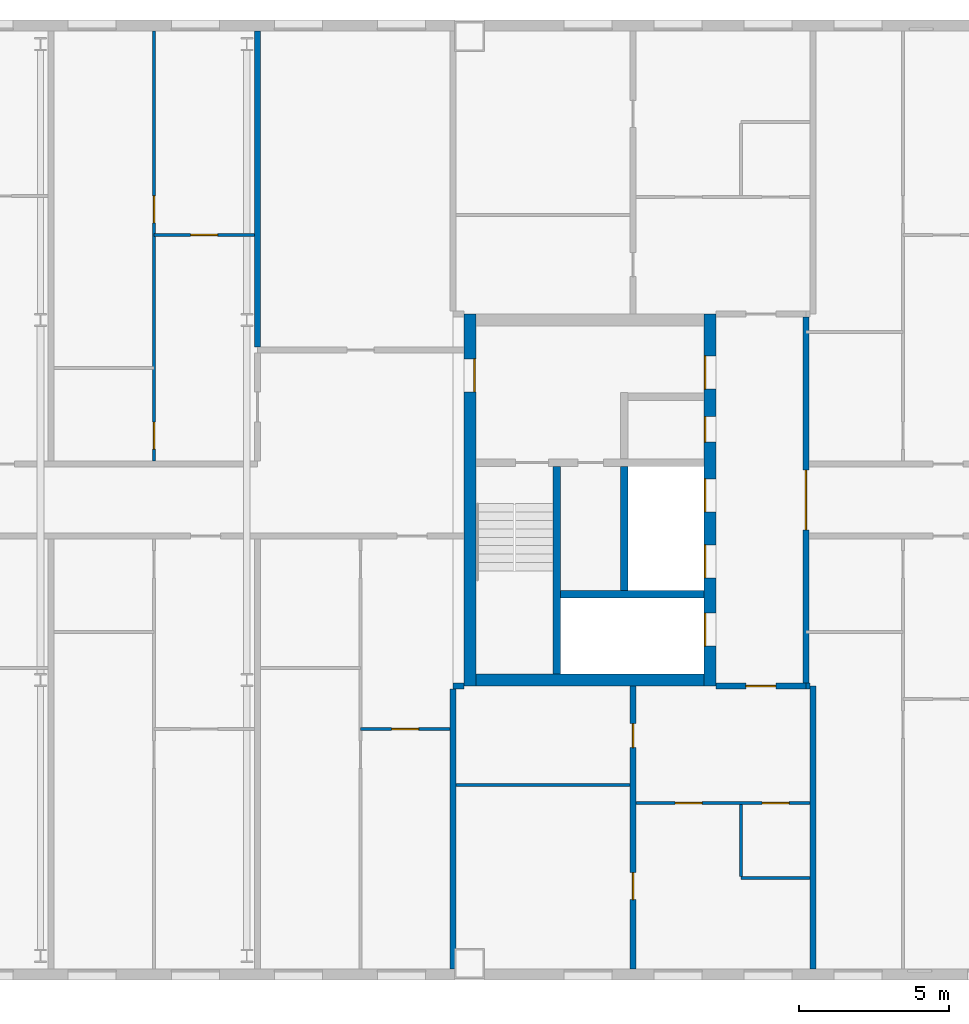
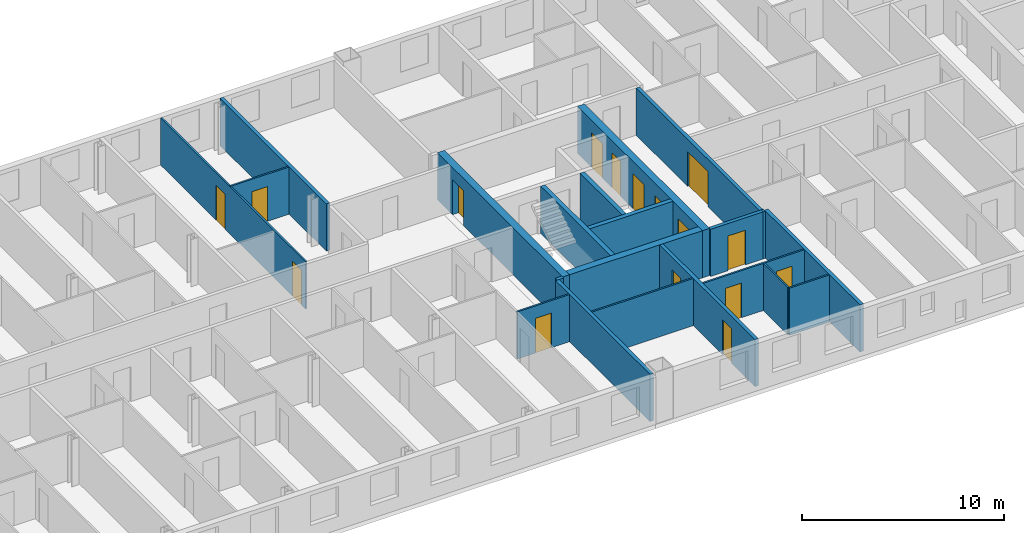
# One storey, part 13 of 19: 21 walls, 16 doors, 16 openings.
"""IFC4 building model written with IfcOpenShell, lengths in metres."""

from ifc_helpers import new_model, si_unit, direction, frame, frame_2d, origin, place, context, subcontext, project, spatial, rectangle, extrude, material, layer, layer_set, type_object, element, fill, save


model = new_model("IFC4")

# Units and contexts
model_context = context("Model", 3, precision=1e-05, world=origin(), true_north=direction((0.0, 1.0)))
body_context = subcontext(model_context, "Body", "Model", "MODEL_VIEW")
ifc_project = project(units=[si_unit("LENGTHUNIT", "METRE"), si_unit("AREAUNIT", "SQUARE_METRE"), si_unit("VOLUMEUNIT", "CUBIC_METRE"), si_unit("PLANEANGLEUNIT", "RADIAN"), si_unit("MASSUNIT", "GRAM", prefix="KILO")], contexts=[model_context])

# Site, building, storey
site_placement = place(None, origin())
site = spatial("IfcSite", under=ifc_project, at=site_placement, CompositionType="ELEMENT")
building_placement = place(site_placement, origin())
building = spatial("IfcBuilding", under=site, at=building_placement, Name="Tuart Gate Housing", CompositionType="ELEMENT")
storey_placement = place(building_placement, frame((0.0, 0.0, 230.699951171875)))
storey = spatial("IfcBuildingStorey", under=building, at=storey_placement, Name="L65", CompositionType="ELEMENT", Elevation=230.699951171875)

# Walls
ifc_material_1 = material(Name="Concrete C40", Category="concrete")
ifc_layer_1 = layer(ifc_material_1, 0.25)
ifc_layer_set_1 = layer_set([ifc_layer_1], Name="Core wall 250 C40")
wall_type_1 = type_object("IfcWallType", Name="Core wall 250 C40", PredefinedType="SHEAR", material=ifc_layer_set_1)
wall_1_placement = place(storey_placement, frame((139.360107421875, 66.85009765625, 0.0), z_axis=(0.0, 0.0, 1.0), x_axis=(-1.0, 0.0, 0.0)))
element("IfcWall", 1, at=wall_1_placement, inside=storey, type_object=wall_type_1, Name="Core wall BG.1", PredefinedType="SHEAR", context=body_context, shape_type="SweptSolid", body=[
    extrude(rectangle(XDim=4.775146484375, YDim=0.25, at=frame_2d((2.3876953125, 0.0))), origin(), (0.0, 0.0, 1.0), 2.85009765625),
])
wall_2_placement = place(storey_placement, frame((136.7099609375, 66.97509765625, 0.0), z_axis=(0.0, 0.0, 1.0), x_axis=(0.0, 1.0, 0.0)))
element("IfcWall", 2, at=wall_2_placement, inside=storey, type_object=wall_type_1, Name="Core wall BG.4", PredefinedType="SHEAR", context=body_context, shape_type="SweptSolid", body=[
    extrude(rectangle(XDim=4.14990234375, YDim=0.25, at=frame_2d((2.074951171875, 0.0))), origin(), (0.0, 0.0, 1.0), 2.85009765625),
])
wall_3_placement = place(storey_placement, frame((134.4599609375, 64.199951171875, 0.0), z_axis=(0.0, 0.0, 1.0), x_axis=(0.0, 1.0, 0.0)))
element("IfcWall", 3, at=wall_3_placement, inside=storey, type_object=wall_type_1, Name="Core wall BG.6", PredefinedType="SHEAR", context=body_context, shape_type="SweptSolid", body=[
    extrude(rectangle(XDim=6.925048828125, YDim=0.25, at=frame_2d((3.46240234375, 0.0))), origin(), (0.0, 0.0, 1.0), 2.85009765625),
])

# Wall, openings, doors
ifc_material_2 = material(Name="Concrete C40", Category="concrete")
ifc_layer_2 = layer(ifc_material_2, 0.39990234375)
ifc_layer_set_2 = layer_set([ifc_layer_2], Name="Core wall 400 C40")
wall_type_2 = type_object("IfcWallType", Name="Core wall 400 C40", PredefinedType="SHEAR", material=ifc_layer_set_2)
wall_4_placement = place(storey_placement, frame((139.56005859375, 63.800048828125, 0.0), z_axis=(0.0, 0.0, 1.0), x_axis=(0.0, 1.0, 0.0)))
wall_4 = element("IfcWall", 4, at=wall_4_placement, inside=storey, type_object=wall_type_2, Name="Core wall BG front", PredefinedType="SHEAR", context=body_context, shape_type="SweptSolid", body=[
    extrude(rectangle(XDim=12.39990234375, YDim=0.39990234375, at=frame_2d((6.199951171875, 0.0))), origin(), (0.0, 0.0, 1.0), 2.85009765625),
])
opening_1_placement = place(wall_4_placement, frame((1.324951171875, 0.0, 0.0)))
opening_1 = element("IfcOpeningElement", 5, at=opening_1_placement, cuts=wall_4, Name="Opening LD-FB1", PredefinedType="OPENING", context=body_context, shape_type="SweptSolid", body=[
    extrude(rectangle(XDim=1.10009765625, YDim=2.10009765625, at=frame_2d((0.550048828125, 1.050048828125))), frame((0.0, 0.2099609375, 0.0), z_axis=(0.0, -1.0, 0.0), x_axis=(1.0, 0.0, 0.0)), (0.0, 0.0, 1.0), 0.419921875),
])
opening_2_placement = place(wall_4_placement, frame((3.60009765625, 0.0, 0.0)))
opening_2 = element("IfcOpeningElement", 6, at=opening_2_placement, cuts=wall_4, Name="Opening LD-LB1", PredefinedType="OPENING", context=body_context, shape_type="SweptSolid", body=[
    extrude(rectangle(XDim=1.10009765625, YDim=2.10009765625, at=frame_2d((0.550048828125, 1.050048828125))), frame((0.0, 0.2099609375, 0.0), z_axis=(0.0, -1.0, 0.0), x_axis=(1.0, 0.0, 0.0)), (0.0, 0.0, 1.0), 0.419921875),
])
opening_3_placement = place(wall_4_placement, frame((5.800048828125, 0.0, 0.0)))
opening_3 = element("IfcOpeningElement", 7, at=opening_3_placement, cuts=wall_4, Name="Opening LD-LB2", PredefinedType="OPENING", context=body_context, shape_type="SweptSolid", body=[
    extrude(rectangle(XDim=1.10009765625, YDim=2.10009765625, at=frame_2d((0.550048828125, 1.050048828125))), frame((0.0, 0.2099609375, 0.0), z_axis=(0.0, -1.0, 0.0), x_axis=(1.0, 0.0, 0.0)), (0.0, 0.0, 1.0), 0.419921875),
])
opening_4_placement = place(wall_4_placement, frame((9.89990234375, 0.0, 0.0)))
opening_4 = element("IfcOpeningElement", 8, at=opening_4_placement, cuts=wall_4, Name="Opening D2578", PredefinedType="OPENING", context=body_context, shape_type="SweptSolid", body=[
    extrude(rectangle(XDim=1.10009765625, YDim=2.10009765625, at=frame_2d((0.550048828125, 1.050048828125))), frame((0.0, 0.2099609375, 0.0), z_axis=(0.0, -1.0, 0.0), x_axis=(1.0, 0.0, 0.0)), (0.0, 0.0, 1.0), 0.419921875),
])
opening_5_placement = place(wall_4_placement, frame((8.125, 0.0, 0.0)))
opening_5 = element("IfcOpeningElement", 9, at=opening_5_placement, cuts=wall_4, Name="Opening D2579", PredefinedType="OPENING", context=body_context, shape_type="SweptSolid", body=[
    extrude(rectangle(XDim=0.85009765625, YDim=2.10009765625, at=frame_2d((0.425048828125, 1.050048828125))), frame((0.0, 0.2099609375, 0.0), z_axis=(0.0, -1.0, 0.0), x_axis=(1.0, 0.0, 0.0)), (0.0, 0.0, 1.0), 0.419921875),
])
ifc_material_3 = material(Name="Stainless steel", Category="steel")
door_type_1 = type_object("IfcDoorType", Name="Landing door 1100 x 2100", OperationType="DOUBLE_DOOR_SLIDING", PredefinedType="DOOR", material=ifc_material_3)
door_1_placement = place(opening_1_placement, origin())
door_1 = element("IfcDoor", 10, at=door_1_placement, inside=storey, type_object=door_type_1, Name="Lift landing door FB1", OperationType="DOUBLE_DOOR_SLIDING", OverallHeight=2.10009765625, OverallWidth=1.10009765625, PredefinedType="DOOR", context=body_context, shape_type="SweptSolid", body=[
    extrude(rectangle(XDim=1.10009765625, YDim=2.10009765625, at=frame_2d((0.550048828125, 1.050048828125))), frame((0.0, 0.18505859375, 0.0), z_axis=(0.0, -1.0, 0.0), x_axis=(1.0, 0.0, 0.0)), (0.0, 0.0, 1.0), 0.050048828125),
])
fill(opening_1, door_1)
door_2_placement = place(opening_2_placement, origin())
door_2 = element("IfcDoor", 11, at=door_2_placement, inside=storey, type_object=door_type_1, Name="Lift landing door LB1", OperationType="DOUBLE_DOOR_SLIDING", OverallHeight=2.10009765625, OverallWidth=1.10009765625, PredefinedType="DOOR", context=body_context, shape_type="SweptSolid", body=[
    extrude(rectangle(XDim=1.10009765625, YDim=2.10009765625, at=frame_2d((0.550048828125, 1.050048828125))), frame((0.0, 0.18505859375, 0.0), z_axis=(0.0, -1.0, 0.0), x_axis=(1.0, 0.0, 0.0)), (0.0, 0.0, 1.0), 0.050048828125),
])
fill(opening_2, door_2)
door_3_placement = place(opening_3_placement, origin())
door_3 = element("IfcDoor", 12, at=door_3_placement, inside=storey, type_object=door_type_1, Name="Lift landing door LB2", OperationType="DOUBLE_DOOR_SLIDING", OverallHeight=2.10009765625, OverallWidth=1.10009765625, PredefinedType="DOOR", context=body_context, shape_type="SweptSolid", body=[
    extrude(rectangle(XDim=1.10009765625, YDim=2.10009765625, at=frame_2d((0.550048828125, 1.050048828125))), frame((0.0, 0.18505859375, 0.0), z_axis=(0.0, -1.0, 0.0), x_axis=(1.0, 0.0, 0.0)), (0.0, 0.0, 1.0), 0.050048828125),
])
fill(opening_3, door_3)
ifc_material_4 = material(Name="Steel fire door", Category="steel")
door_type_2 = type_object("IfcDoorType", Name="Lobby door 1100 x 2100", OperationType="SINGLE_SWING_LEFT", PredefinedType="DOOR", material=ifc_material_4)
door_4_placement = place(opening_4_placement, origin())
door_4 = element("IfcDoor", 13, at=door_4_placement, inside=storey, type_object=door_type_2, Name="Lobby entry door BG.EN", OperationType="SINGLE_SWING_LEFT", OverallHeight=2.10009765625, OverallWidth=1.10009765625, PredefinedType="DOOR", context=body_context, shape_type="SweptSolid", body=[
    extrude(rectangle(XDim=1.10009765625, YDim=2.10009765625, at=frame_2d((0.550048828125, 1.050048828125))), frame((0.0, 0.18505859375, 0.0), z_axis=(0.0, -1.0, 0.0), x_axis=(1.0, 0.0, 0.0)), (0.0, 0.0, 1.0), 0.050048828125),
])
fill(opening_4, door_4)
ifc_material_5 = material(Name="Steel fire door", Category="steel")
door_type_3 = type_object("IfcDoorType", Name="Service door 850 x 2100", OperationType="SINGLE_SWING_LEFT", PredefinedType="DOOR", material=ifc_material_5)
door_5_placement = place(opening_5_placement, origin())
door_5 = element("IfcDoor", 14, at=door_5_placement, inside=storey, type_object=door_type_3, Name="Service room door BG.T1", OperationType="SINGLE_SWING_LEFT", OverallHeight=2.10009765625, OverallWidth=0.85009765625, PredefinedType="DOOR", context=body_context, shape_type="SweptSolid", body=[
    extrude(rectangle(XDim=0.85009765625, YDim=2.10009765625, at=frame_2d((0.425048828125, 1.050048828125))), frame((0.0, 0.18505859375, 0.0), z_axis=(0.0, -1.0, 0.0), x_axis=(1.0, 0.0, 0.0)), (0.0, 0.0, 1.0), 0.050048828125),
])
fill(opening_5, door_5)

# Wall, opening, door
wall_5_placement = place(storey_placement, frame((131.56005859375, 63.800048828125, 0.0), z_axis=(0.0, 0.0, 1.0), x_axis=(0.0, 1.0, 0.0)))
wall_5 = element("IfcWall", 15, at=wall_5_placement, inside=storey, type_object=wall_type_2, Name="Core wall BG back", PredefinedType="SHEAR", context=body_context, shape_type="SweptSolid", body=[
    extrude(rectangle(XDim=12.39990234375, YDim=0.39990234375, at=frame_2d((6.199951171875, 0.0))), origin(), (0.0, 0.0, 1.0), 2.85009765625),
])
opening_6_placement = place(wall_5_placement, frame((9.800048828125, 0.0, 0.0)))
opening_6 = element("IfcOpeningElement", 16, at=opening_6_placement, cuts=wall_5, Name="Opening D2577", PredefinedType="OPENING", context=body_context, shape_type="SweptSolid", body=[
    extrude(rectangle(XDim=1.10009765625, YDim=2.10009765625, at=frame_2d((0.550048828125, 1.050048828125))), frame((0.0, 0.2099609375, 0.0), z_axis=(0.0, -1.0, 0.0), x_axis=(1.0, 0.0, 0.0)), (0.0, 0.0, 1.0), 0.419921875),
])
door_6_placement = place(opening_6_placement, frame((1.10009765625, 0.0, 0.0), z_axis=(0.0, 0.0, 1.0), x_axis=(-1.0, 0.0, 0.0)))
door_6 = element("IfcDoor", 17, at=door_6_placement, inside=storey, type_object=door_type_2, Name="Link door BG.LK", OperationType="SINGLE_SWING_LEFT", OverallHeight=2.10009765625, OverallWidth=1.10009765625, PredefinedType="DOOR", context=body_context, shape_type="SweptSolid", body=[
    extrude(rectangle(XDim=1.10009765625, YDim=2.10009765625, at=frame_2d((0.550048828125, 1.050048828125))), frame((0.0, 0.184814453125, 0.0), z_axis=(0.0, -1.0, 0.0), x_axis=(1.0, 0.0, 0.0)), (0.0, 0.0, 1.0), 0.050048828125),
])
fill(opening_6, door_6)

# Wall
wall_6_placement = place(storey_placement, frame((139.360107421875, 64.0, 0.0), z_axis=(0.0, 0.0, 1.0), x_axis=(-1.0, 0.0, 0.0)))
element("IfcWall", 18, at=wall_6_placement, inside=storey, type_object=wall_type_2, Name="Core wall BG south", PredefinedType="SHEAR", context=body_context, shape_type="SweptSolid", body=[
    extrude(rectangle(XDim=7.60009765625, YDim=0.39990234375, at=frame_2d((3.800048828125, 0.0))), origin(), (0.0, 0.0, 1.0), 2.85009765625),
])

# Wall, opening, door
ifc_material_6 = material(Name="Concrete masonry 15 MPa", Category="masonry")
ifc_layer_3 = layer(ifc_material_6, 0.199951171875)
ifc_layer_set_3 = layer_set([ifc_layer_3], Name="Enclosure wall masonry 200")
wall_type_3 = type_object("IfcWallType", Name="Enclosure wall masonry 200", PredefinedType="PARTITIONING", material=ifc_layer_set_3)
wall_7_placement = place(storey_placement, frame((139.760009765625, 63.800048828125, 0.0), z_axis=(0.0, 0.0, 1.0), x_axis=(1.0, 0.0, 0.0)))
wall_7 = element("IfcWall", 19, at=wall_7_placement, inside=storey, type_object=wall_type_3, Name="Enclosure wall masonry 200", PredefinedType="PARTITIONING", context=body_context, shape_type="SweptSolid", body=[
    extrude(rectangle(XDim=3.0, YDim=0.199951171875, at=frame_2d((1.5, 0.0))), origin(), (0.0, 0.0, 1.0), 2.85009765625),
])
opening_7_placement = place(wall_7_placement, frame((1.0, 0.0, 0.0)))
opening_7 = element("IfcOpeningElement", 20, at=opening_7_placement, cuts=wall_7, Name="Opening D2590", PredefinedType="OPENING", context=body_context, shape_type="SweptSolid", body=[
    extrude(rectangle(XDim=1.0, YDim=2.10009765625, at=frame_2d((0.5, 1.050048828125))), frame((0.0, 0.10986328125, 0.0), z_axis=(0.0, -1.0, 0.0), x_axis=(1.0, 0.0, 0.0)), (0.0, 0.0, 1.0), 0.219970703125),
])
ifc_material_7 = material(Name="Timber door leaf in steel frame", Category="steel")
door_type_4 = type_object("IfcDoorType", Name="Flat entrance door 1000", OperationType="SINGLE_SWING_LEFT", PredefinedType="DOOR", material=ifc_material_7)
door_7_placement = place(opening_7_placement, frame((1.0, 0.0, 0.0), z_axis=(0.0, 0.0, 1.0), x_axis=(-1.0, 0.0, 0.0)))
door_7 = element("IfcDoor", 21, at=door_7_placement, inside=storey, type_object=door_type_4, Name="Flat entrance door", OperationType="SINGLE_SWING_LEFT", OverallHeight=2.10009765625, OverallWidth=1.0, PredefinedType="DOOR", context=body_context, shape_type="SweptSolid", body=[
    extrude(rectangle(XDim=1.0, YDim=2.10009765625, at=frame_2d((0.5, 1.050048828125))), frame((0.0, 0.025146484375, 0.0), z_axis=(0.0, -1.0, 0.0), x_axis=(1.0, 0.0, 0.0)), (0.0, 0.0, 1.0), 0.050048828125),
])
fill(opening_7, door_7)

ifc_material_8 = material(Name="Plasterboard partition")
ifc_layer_4 = layer(ifc_material_8, 0.199951171875)
ifc_layer_set_4 = layer_set([ifc_layer_4], Name="Lobby wall 200")
wall_type_4 = type_object("IfcWallType", Name="Lobby wall 200", PredefinedType="PARTITIONING", material=ifc_layer_set_4)
wall_8_placement = place(storey_placement, frame((142.760009765625, 63.89990234375, 0.0), z_axis=(0.0, 0.0, 1.0), x_axis=(0.0, 1.0, 0.0)))
wall_8 = element("IfcWall", 22, at=wall_8_placement, inside=storey, type_object=wall_type_4, Name="Lift lobby wall BG", PredefinedType="PARTITIONING", context=body_context, shape_type="SweptSolid", body=[
    extrude(rectangle(XDim=12.2001953125, YDim=0.199951171875, at=frame_2d((6.10009765625, 0.0))), origin(), (0.0, 0.0, 1.0), 2.85009765625),
])
opening_8_placement = place(wall_8_placement, frame((5.10009765625, 0.0, 0.0)))
opening_8 = element("IfcOpeningElement", 23, at=opening_8_placement, cuts=wall_8, Name="Opening D2580", PredefinedType="OPENING", context=body_context, shape_type="SweptSolid", body=[
    extrude(rectangle(XDim=2.0, YDim=2.10009765625, at=frame_2d((1.0, 1.050048828125))), frame((0.0, 0.10986328125, 0.0), z_axis=(0.0, -1.0, 0.0), x_axis=(1.0, 0.0, 0.0)), (0.0, 0.0, 1.0), 0.219970703125),
])
ifc_material_9 = material(Name="Steel fire door", Category="steel")
door_type_5 = type_object("IfcDoorType", Name="Smoke door 2000 x 2100", OperationType="DOUBLE_DOOR_SINGLE_SWING", PredefinedType="DOOR", material=ifc_material_9)
door_8_placement = place(opening_8_placement, origin())
door_8 = element("IfcDoor", 24, at=door_8_placement, inside=storey, type_object=door_type_5, Name="Lift lobby smoke door BG", OperationType="DOUBLE_DOOR_SINGLE_SWING", OverallHeight=2.10009765625, OverallWidth=2.0, PredefinedType="DOOR", context=body_context, shape_type="SweptSolid", body=[
    extrude(rectangle(XDim=2.0, YDim=2.10009765625, at=frame_2d((1.0, 1.050048828125))), frame((0.0, 0.02490234375, 0.0), z_axis=(0.0, -1.0, 0.0), x_axis=(1.0, 0.0, 0.0)), (0.0, 0.0, 1.0), 0.050048828125),
])
fill(opening_8, door_8)

# Wall
ifc_material_10 = material(Name="Gypsum board on steel studs", Category="steel")
ifc_layer_5 = layer(ifc_material_10, 0.10009765625)
ifc_layer_set_5 = layer_set([ifc_layer_5], Name="Partition 100")
wall_type_5 = type_object("IfcWallType", Name="Partition 100", PredefinedType="PARTITIONING", material=ifc_layer_set_5)
wall_9_placement = place(storey_placement, frame((140.60009765625, 57.39990234375, 0.0), z_axis=(0.0, 0.0, 1.0), x_axis=(1.0, 0.0, 0.0)))
element("IfcWall", 25, at=wall_9_placement, inside=storey, type_object=wall_type_5, Name="Partition 100", PredefinedType="PARTITIONING", context=body_context, shape_type="SweptSolid", body=[
    extrude(rectangle(XDim=2.2998046875, YDim=0.10009765625, at=frame_2d((1.14990234375, 0.0))), origin(), (0.0, 0.0, 1.0), 2.85009765625),
])

# Wall, openings, doors
wall_10_placement = place(storey_placement, frame((137.10009765625, 59.89990234375, 0.0), z_axis=(0.0, 0.0, 1.0), x_axis=(1.0, 0.0, 0.0)))
wall_10 = element("IfcWall", 26, at=wall_10_placement, inside=storey, type_object=wall_type_5, Name="Partition 100", PredefinedType="PARTITIONING", context=body_context, shape_type="SweptSolid", body=[
    extrude(rectangle(XDim=5.7998046875, YDim=0.10009765625, at=frame_2d((2.89990234375, 0.0))), origin(), (0.0, 0.0, 1.0), 2.85009765625),
])
opening_9_placement = place(wall_10_placement, frame((1.300048828125, 0.0, 0.0)))
opening_9 = element("IfcOpeningElement", 27, at=opening_9_placement, cuts=wall_10, Name="Opening D2600", PredefinedType="OPENING", context=body_context, shape_type="SweptSolid", body=[
    extrude(rectangle(XDim=0.89990234375, YDim=2.10009765625, at=frame_2d((0.449951171875, 1.050048828125))), frame((0.0, 0.06005859375, 0.0), z_axis=(0.0, -1.0, 0.0), x_axis=(1.0, 0.0, 0.0)), (0.0, 0.0, 1.0), 0.1201171875),
])
opening_10_placement = place(wall_10_placement, frame((4.199951171875, 0.0, 0.0)))
opening_10 = element("IfcOpeningElement", 28, at=opening_10_placement, cuts=wall_10, Name="Opening D2599", PredefinedType="OPENING", context=body_context, shape_type="SweptSolid", body=[
    extrude(rectangle(XDim=0.89990234375, YDim=2.10009765625, at=frame_2d((0.449951171875, 1.050048828125))), frame((0.0, 0.06005859375, 0.0), z_axis=(0.0, -1.0, 0.0), x_axis=(1.0, 0.0, 0.0)), (0.0, 0.0, 1.0), 0.1201171875),
])
ifc_material_11 = material(Name="Timber door leaf in steel frame", Category="steel")
door_type_6 = type_object("IfcDoorType", Name="Bathroom door 900 RH", OperationType="SINGLE_SWING_RIGHT", PredefinedType="DOOR", material=ifc_material_11)
door_9_placement = place(opening_10_placement, frame((0.89990234375, 0.0, 0.0), z_axis=(0.0, 0.0, 1.0), x_axis=(-1.0, 0.0, 0.0)))
door_9 = element("IfcDoor", 29, at=door_9_placement, inside=storey, type_object=door_type_6, Name="Bathroom door", OperationType="SINGLE_SWING_RIGHT", OverallHeight=2.10009765625, OverallWidth=0.89990234375, PredefinedType="DOOR", context=body_context, shape_type="SweptSolid", body=[
    extrude(rectangle(XDim=0.89990234375, YDim=2.10009765625, at=frame_2d((0.449951171875, 1.050048828125))), frame((0.0, 0.025146484375, 0.0), z_axis=(0.0, -1.0, 0.0), x_axis=(1.0, 0.0, 0.0)), (0.0, 0.0, 1.0), 0.050048828125),
])
fill(opening_10, door_9)
ifc_material_12 = material(Name="Timber door leaf in steel frame", Category="steel")
door_type_7 = type_object("IfcDoorType", Name="Internal door 900", OperationType="SINGLE_SWING_LEFT", PredefinedType="DOOR", material=ifc_material_12)
door_10_placement = place(opening_9_placement, origin())
door_10 = element("IfcDoor", 30, at=door_10_placement, inside=storey, type_object=door_type_7, Name="Internal door", OperationType="SINGLE_SWING_LEFT", OverallHeight=2.10009765625, OverallWidth=0.89990234375, PredefinedType="DOOR", context=body_context, shape_type="SweptSolid", body=[
    extrude(rectangle(XDim=0.89990234375, YDim=2.10009765625, at=frame_2d((0.449951171875, 1.050048828125))), frame((0.0, 0.02490234375, 0.0), z_axis=(0.0, -1.0, 0.0), x_axis=(1.0, 0.0, 0.0)), (0.0, 0.0, 1.0), 0.050048828125),
])
fill(opening_9, door_10)

# Wall
wall_11_placement = place(storey_placement, frame((131.10009765625, 60.5, 0.0), z_axis=(0.0, 0.0, 1.0), x_axis=(1.0, 0.0, 0.0)))
element("IfcWall", 31, at=wall_11_placement, inside=storey, type_object=wall_type_5, Name="Partition 100", PredefinedType="PARTITIONING", context=body_context, shape_type="SweptSolid", body=[
    extrude(rectangle(XDim=5.7998046875, YDim=0.10009765625, at=frame_2d((2.89990234375, 0.0))), origin(), (0.0, 0.0, 1.0), 2.85009765625),
])

# Wall, opening, door
wall_12_placement = place(storey_placement, frame((127.912109375, 62.360107421875, 0.0), z_axis=(0.0, 0.0, 1.0), x_axis=(1.0, 0.0, 0.0)))
wall_12 = element("IfcWall", 32, at=wall_12_placement, inside=storey, type_object=wall_type_5, Name="Partition 100", PredefinedType="PARTITIONING", context=body_context, shape_type="SweptSolid", body=[
    extrude(rectangle(XDim=2.98779296875, YDim=0.10009765625, at=frame_2d((1.493896484375, 0.0))), origin(), (0.0, 0.0, 1.0), 2.85009765625),
])
opening_11_placement = place(wall_12_placement, frame((1.0439453125, 0.0, 0.0)))
opening_11 = element("IfcOpeningElement", 33, at=opening_11_placement, cuts=wall_12, Name="Opening D2535", PredefinedType="OPENING", context=body_context, shape_type="SweptSolid", body=[
    extrude(rectangle(XDim=0.89990234375, YDim=2.10009765625, at=frame_2d((0.449951171875, 1.050048828125))), frame((0.0, 0.06005859375, 0.0), z_axis=(0.0, -1.0, 0.0), x_axis=(1.0, 0.0, 0.0)), (0.0, 0.0, 1.0), 0.1201171875),
])
door_11_placement = place(opening_11_placement, origin())
door_11 = element("IfcDoor", 34, at=door_11_placement, inside=storey, type_object=door_type_7, Name="Internal door", OperationType="SINGLE_SWING_LEFT", OverallHeight=2.10009765625, OverallWidth=0.89990234375, PredefinedType="DOOR", context=body_context, shape_type="SweptSolid", body=[
    extrude(rectangle(XDim=0.89990234375, YDim=2.10009765625, at=frame_2d((0.449951171875, 1.050048828125))), frame((0.0, 0.02490234375, 0.0), z_axis=(0.0, -1.0, 0.0), x_axis=(1.0, 0.0, 0.0)), (0.0, 0.0, 1.0), 0.050048828125),
])
fill(opening_11, door_11)

wall_13_placement = place(storey_placement, frame((121.037109375, 78.840087890625, 0.0), z_axis=(0.0, 0.0, 1.0), x_axis=(1.0, 0.0, 0.0)))
wall_13 = element("IfcWall", 35, at=wall_13_placement, inside=storey, type_object=wall_type_5, Name="Partition 100", PredefinedType="PARTITIONING", context=body_context, shape_type="SweptSolid", body=[
    extrude(rectangle(XDim=3.337890625, YDim=0.10009765625, at=frame_2d((1.6689453125, 0.0))), origin(), (0.0, 0.0, 1.0), 2.85009765625),
])
opening_12_placement = place(wall_13_placement, frame((1.218994140625, 0.0, 0.0)))
opening_12 = element("IfcOpeningElement", 36, at=opening_12_placement, cuts=wall_13, Name="Opening D2502", PredefinedType="OPENING", context=body_context, shape_type="SweptSolid", body=[
    extrude(rectangle(XDim=0.89990234375, YDim=2.10009765625, at=frame_2d((0.449951171875, 1.050048828125))), frame((0.0, 0.06005859375, 0.0), z_axis=(0.0, -1.0, 0.0), x_axis=(1.0, 0.0, 0.0)), (0.0, 0.0, 1.0), 0.1201171875),
])
ifc_material_13 = material(Name="Timber door leaf in steel frame", Category="steel")
door_type_8 = type_object("IfcDoorType", Name="Internal door 900 RH", OperationType="SINGLE_SWING_RIGHT", PredefinedType="DOOR", material=ifc_material_13)
door_12_placement = place(opening_12_placement, frame((0.89990234375, 0.0, 0.0), z_axis=(0.0, 0.0, 1.0), x_axis=(-1.0, 0.0, 0.0)))
door_12 = element("IfcDoor", 37, at=door_12_placement, inside=storey, type_object=door_type_8, Name="Internal door", OperationType="SINGLE_SWING_RIGHT", OverallHeight=2.10009765625, OverallWidth=0.89990234375, PredefinedType="DOOR", context=body_context, shape_type="SweptSolid", body=[
    extrude(rectangle(XDim=0.89990234375, YDim=2.10009765625, at=frame_2d((0.449951171875, 1.050048828125))), frame((0.0, 0.025146484375, 0.0), z_axis=(0.0, -1.0, 0.0), x_axis=(1.0, 0.0, 0.0)), (0.0, 0.0, 1.0), 0.050048828125),
])
fill(opening_12, door_12)

# Wall, openings, doors
wall_14_placement = place(storey_placement, frame((121.037109375, 71.300048828125, 0.0), z_axis=(0.0, 0.0, 1.0), x_axis=(0.0, 1.0, 0.0)))
wall_14 = element("IfcWall", 38, at=wall_14_placement, inside=storey, type_object=wall_type_5, Name="Partition 100", PredefinedType="PARTITIONING", context=body_context, shape_type="SweptSolid", body=[
    extrude(rectangle(XDim=14.33984375, YDim=0.10009765625, at=frame_2d((7.169921875, 0.0))), origin(), (0.0, 0.0, 1.0), 2.85009765625),
])
opening_13_placement = place(wall_14_placement, frame((7.93994140625, 0.0, 0.0)))
opening_13 = element("IfcOpeningElement", 39, at=opening_13_placement, cuts=wall_14, Name="Opening D2516", PredefinedType="OPENING", context=body_context, shape_type="SweptSolid", body=[
    extrude(rectangle(XDim=0.89990234375, YDim=2.10009765625, at=frame_2d((0.449951171875, 1.050048828125))), frame((0.0, 0.06005859375, 0.0), z_axis=(0.0, -1.0, 0.0), x_axis=(1.0, 0.0, 0.0)), (0.0, 0.0, 1.0), 0.1201171875),
])
opening_14_placement = place(wall_14_placement, frame((0.39990234375, 0.0, 0.0)))
opening_14 = element("IfcOpeningElement", 40, at=opening_14_placement, cuts=wall_14, Name="Opening D2515", PredefinedType="OPENING", context=body_context, shape_type="SweptSolid", body=[
    extrude(rectangle(XDim=0.89990234375, YDim=2.10009765625, at=frame_2d((0.449951171875, 1.050048828125))), frame((0.0, 0.06005859375, 0.0), z_axis=(0.0, -1.0, 0.0), x_axis=(1.0, 0.0, 0.0)), (0.0, 0.0, 1.0), 0.1201171875),
])
ifc_material_14 = material(Name="Timber door leaf in steel frame", Category="steel")
door_type_9 = type_object("IfcDoorType", Name="Bathroom door 900", OperationType="SINGLE_SWING_LEFT", PredefinedType="DOOR", material=ifc_material_14)
door_13_placement = place(opening_14_placement, origin())
door_13 = element("IfcDoor", 41, at=door_13_placement, inside=storey, type_object=door_type_9, Name="Bathroom door", OperationType="SINGLE_SWING_LEFT", OverallHeight=2.10009765625, OverallWidth=0.89990234375, PredefinedType="DOOR", context=body_context, shape_type="SweptSolid", body=[
    extrude(rectangle(XDim=0.89990234375, YDim=2.10009765625, at=frame_2d((0.449951171875, 1.050048828125))), frame((0.0, 0.02490234375, 0.0), z_axis=(0.0, -1.0, 0.0), x_axis=(1.0, 0.0, 0.0)), (0.0, 0.0, 1.0), 0.050048828125),
])
fill(opening_14, door_13)
door_14_placement = place(opening_13_placement, origin())
door_14 = element("IfcDoor", 42, at=door_14_placement, inside=storey, type_object=door_type_7, Name="Internal door", OperationType="SINGLE_SWING_LEFT", OverallHeight=2.10009765625, OverallWidth=0.89990234375, PredefinedType="DOOR", context=body_context, shape_type="SweptSolid", body=[
    extrude(rectangle(XDim=0.89990234375, YDim=2.10009765625, at=frame_2d((0.449951171875, 1.050048828125))), frame((0.0, 0.02490234375, 0.0), z_axis=(0.0, -1.0, 0.0), x_axis=(1.0, 0.0, 0.0)), (0.0, 0.0, 1.0), 0.050048828125),
])
fill(opening_13, door_14)

# Wall
wall_15_placement = place(storey_placement, frame((140.60009765625, 57.449951171875, 0.0), z_axis=(0.0, 0.0, 1.0), x_axis=(0.0, 1.0, 0.0)))
element("IfcWall", 43, at=wall_15_placement, inside=storey, type_object=wall_type_5, Name="Partition 100", PredefinedType="PARTITIONING", context=body_context, shape_type="SweptSolid", body=[
    extrude(rectangle(XDim=2.400146484375, YDim=0.10009765625, at=frame_2d((1.2001953125, 0.0))), origin(), (0.0, 0.0, 1.0), 2.85009765625),
])

# Wall, openings, doors
ifc_material_15 = material(Name="Concrete C40", Category="concrete")
ifc_layer_6 = layer(ifc_material_15, 0.199951171875)
ifc_layer_set_6 = layer_set([ifc_layer_6], Name="Party wall concrete C40 200")
wall_type_6 = type_object("IfcWallType", Name="Party wall concrete C40 200", PredefinedType="SOLIDWALL", material=ifc_layer_set_6)
wall_16_placement = place(storey_placement, frame((137.0, 54.360107421875, 0.0), z_axis=(0.0, 0.0, 1.0), x_axis=(0.0, 1.0, 0.0)))
wall_16 = element("IfcWall", 44, at=wall_16_placement, inside=storey, type_object=wall_type_6, Name="Party wall concrete C40 200", PredefinedType="SOLIDWALL", context=body_context, shape_type="SweptSolid", body=[
    extrude(rectangle(XDim=9.43994140625, YDim=0.199951171875, at=frame_2d((4.719970703125, 0.0))), origin(), (0.0, 0.0, 1.0), 2.85009765625),
])
opening_15_placement = place(wall_16_placement, frame((2.320068359375, 0.0, 0.0)))
opening_15 = element("IfcOpeningElement", 45, at=opening_15_placement, cuts=wall_16, Name="Opening D2602", PredefinedType="OPENING", context=body_context, shape_type="SweptSolid", body=[
    extrude(rectangle(XDim=0.89990234375, YDim=2.10009765625, at=frame_2d((0.449951171875, 1.050048828125))), frame((0.0, 0.10986328125, 0.0), z_axis=(0.0, -1.0, 0.0), x_axis=(1.0, 0.0, 0.0)), (0.0, 0.0, 1.0), 0.219970703125),
])
opening_16_placement = place(wall_16_placement, frame((7.389892578125, 0.0, 0.0)))
opening_16 = element("IfcOpeningElement", 46, at=opening_16_placement, cuts=wall_16, Name="Opening D2603", PredefinedType="OPENING", context=body_context, shape_type="SweptSolid", body=[
    extrude(rectangle(XDim=0.800048828125, YDim=2.10009765625, at=frame_2d((0.39990234375, 1.050048828125))), frame((0.0, 0.10986328125, 0.0), z_axis=(0.0, -1.0, 0.0), x_axis=(1.0, 0.0, 0.0)), (0.0, 0.0, 1.0), 0.219970703125),
])
door_15_placement = place(opening_15_placement, origin())
door_15 = element("IfcDoor", 47, at=door_15_placement, inside=storey, type_object=door_type_7, Name="Internal door", OperationType="SINGLE_SWING_LEFT", OverallHeight=2.10009765625, OverallWidth=0.89990234375, PredefinedType="DOOR", context=body_context, shape_type="SweptSolid", body=[
    extrude(rectangle(XDim=0.89990234375, YDim=2.10009765625, at=frame_2d((0.449951171875, 1.050048828125))), frame((0.0, 0.02490234375, 0.0), z_axis=(0.0, -1.0, 0.0), x_axis=(1.0, 0.0, 0.0)), (0.0, 0.0, 1.0), 0.050048828125),
])
fill(opening_15, door_15)
ifc_material_16 = material(Name="Timber door leaf in steel frame", Category="steel")
door_type_10 = type_object("IfcDoorType", Name="Store door 800", OperationType="SINGLE_SWING_LEFT", PredefinedType="DOOR", material=ifc_material_16)
door_16_placement = place(opening_16_placement, origin())
door_16 = element("IfcDoor", 48, at=door_16_placement, inside=storey, type_object=door_type_10, Name="Store door", OperationType="SINGLE_SWING_LEFT", OverallHeight=2.10009765625, OverallWidth=0.800048828125, PredefinedType="DOOR", context=body_context, shape_type="SweptSolid", body=[
    extrude(rectangle(XDim=0.800048828125, YDim=2.10009765625, at=frame_2d((0.39990234375, 1.050048828125))), frame((0.0, 0.02490234375, 0.0), z_axis=(0.0, -1.0, 0.0), x_axis=(1.0, 0.0, 0.0)), (0.0, 0.0, 1.0), 0.050048828125),
])
fill(opening_16, door_16)

# Walls
wall_17_placement = place(storey_placement, frame((143.0, 54.360107421875, 0.0), z_axis=(0.0, 0.0, 1.0), x_axis=(0.0, 1.0, 0.0)))
element("IfcWall", 49, at=wall_17_placement, inside=storey, type_object=wall_type_6, Name="Party wall concrete C40 200", PredefinedType="SOLIDWALL", context=body_context, shape_type="SweptSolid", body=[
    extrude(rectangle(XDim=9.43994140625, YDim=0.199951171875, at=frame_2d((4.719970703125, 0.0))), origin(), (0.0, 0.0, 1.0), 2.85009765625),
])
ifc_material_17 = material(Name="Concrete masonry 15 MPa", Category="masonry")
ifc_layer_7 = layer(ifc_material_17, 0.199951171875)
ifc_layer_set_7 = layer_set([ifc_layer_7], Name="Party wall masonry 200")
wall_type_7 = type_object("IfcWallType", Name="Party wall masonry 200", PredefinedType="PARTITIONING", material=ifc_layer_set_7)
wall_18_placement = place(storey_placement, frame((131.0, 63.800048828125, 0.0), z_axis=(0.0, 0.0, 1.0), x_axis=(1.0, 0.0, 0.0)))
element("IfcWall", 50, at=wall_18_placement, inside=storey, type_object=wall_type_7, Name="Party wall masonry 200", PredefinedType="PARTITIONING", context=body_context, shape_type="SweptSolid", body=[
    extrude(rectangle(XDim=0.360107421875, YDim=0.199951171875, at=frame_2d((0.18017578125, 0.0))), origin(), (0.0, 0.0, 1.0), 2.85009765625),
])
wall_19_placement = place(storey_placement, frame((142.760009765625, 63.800048828125, 0.0), z_axis=(0.0, 0.0, 1.0), x_axis=(1.0, 0.0, 0.0)))
element("IfcWall", 51, at=wall_19_placement, inside=storey, type_object=wall_type_7, Name="Party wall masonry 200", PredefinedType="PARTITIONING", context=body_context, shape_type="SweptSolid", body=[
    extrude(rectangle(XDim=0.139892578125, YDim=0.199951171875, at=frame_2d((0.06982421875, 0.0))), origin(), (0.0, 0.0, 1.0), 2.85009765625),
])
wall_20_placement = place(storey_placement, frame((124.47509765625, 75.10009765625, 0.0), z_axis=(0.0, 0.0, 1.0), x_axis=(0.0, 1.0, 0.0)))
element("IfcWall", 52, at=wall_20_placement, inside=storey, type_object=wall_type_7, Name="Party wall masonry 200", PredefinedType="PARTITIONING", context=body_context, shape_type="SweptSolid", body=[
    extrude(rectangle(XDim=10.539794921875, YDim=0.199951171875, at=frame_2d((5.27001953125, 0.0))), origin(), (0.0, 0.0, 1.0), 2.85009765625),
])
wall_21_placement = place(storey_placement, frame((131.0, 54.360107421875, 0.0), z_axis=(0.0, 0.0, 1.0), x_axis=(0.0, 1.0, 0.0)))
element("IfcWall", 53, at=wall_21_placement, inside=storey, type_object=wall_type_7, Name="Party wall masonry 200", PredefinedType="PARTITIONING", context=body_context, shape_type="SweptSolid", body=[
    extrude(rectangle(XDim=9.33984375, YDim=0.199951171875, at=frame_2d((4.669921875, 0.0))), origin(), (0.0, 0.0, 1.0), 2.85009765625),
])

save(model, "model.ifc")
